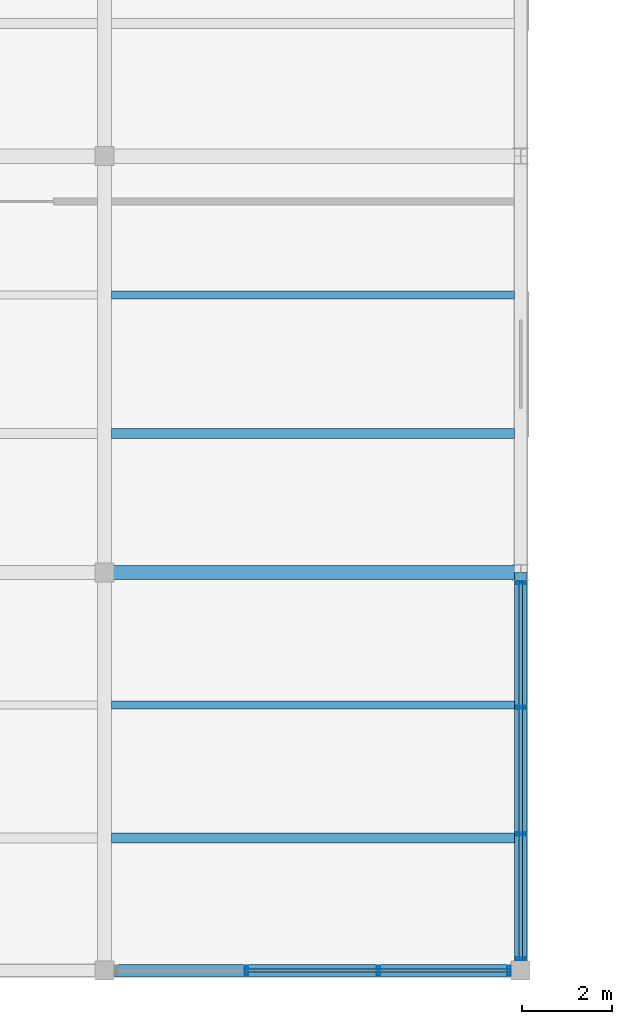
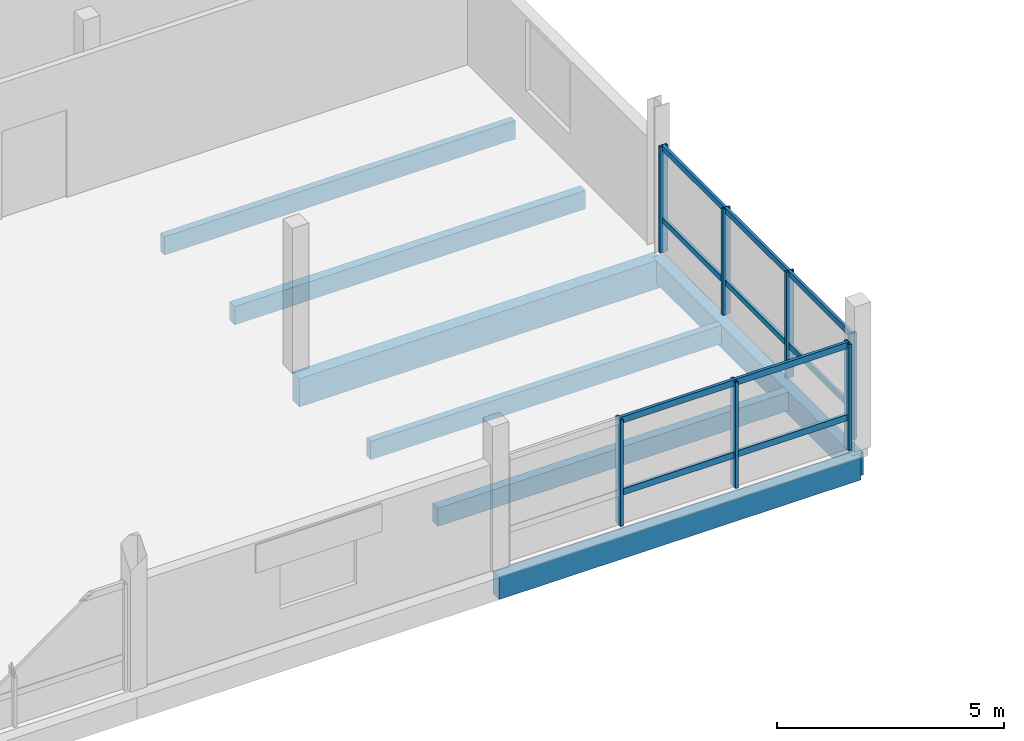
# One storey, part 13 of 47: 17 members, 7 beams, 2 elements without a shape of their own.
"""IFC4 building model written with IfcOpenShell, lengths in metres."""

from ifc_helpers import new_model, si_unit, direction, frame, origin, origin_2d, place, context, subcontext, project, spatial, rectangle, hollow_rectangle, extrude, material, layer, layer_set, material_profile, profile_set, type_object, element, aggregate, save


model = new_model("IFC4")

# Units and contexts
model_context = context("Model", 3, precision=1e-05, world=origin(), true_north=direction((0.0, 1.0)))
body_context = subcontext(model_context, "Body", "Model", "MODEL_VIEW")
ifc_project = project(units=[si_unit("LENGTHUNIT", "METRE"), si_unit("AREAUNIT", "SQUARE_METRE"), si_unit("VOLUMEUNIT", "CUBIC_METRE"), si_unit("PLANEANGLEUNIT", "RADIAN"), si_unit("MASSUNIT", "GRAM", prefix="KILO")], contexts=[model_context])

# Site, building, storey
site_placement = place(None, origin())
site = spatial("IfcSite", under=ifc_project, at=site_placement, CompositionType="ELEMENT")
building_placement = place(site_placement, origin())
building = spatial("IfcBuilding", under=site, at=building_placement, Name="Meriwether Solvik Hall", CompositionType="ELEMENT")
storey_placement = place(building_placement, frame((0.0, 0.0, 18.300048828125)))
storey = spatial("IfcBuildingStorey", under=building, at=storey_placement, Name="L04", CompositionType="ELEMENT", Elevation=18.300048828125)

# Beams
ifc_material_1 = material(Name="Glulam Douglas-Fir 24F-V8 GL28h", Category="wood")
ifc_material_profile_1 = material_profile(ifc_material_1, rectangle(XDim=0.27294921875, YDim=0.610107421875, at=origin_2d()), Name="GLB-273X610")
ifc_profile_set_1 = profile_set([ifc_material_profile_1], Name="Glulam Douglas-Fir 24F-V8 GL28h")
beam_type_1 = type_object("IfcBeamType", Name="BM-GL-273X610", PredefinedType="SPANDREL", material=ifc_profile_set_1)
beam_1_placement = place(storey_placement, frame((105.0, 5.199951171875, -0.550048828125), z_axis=(1.0, 0.0, 0.0), x_axis=(0.0, 1.0, 0.0)))
element("IfcBeam", 1, at=beam_1_placement, inside=storey, type_object=beam_type_1, Name="Podium Girder A:12-13 (L04)", PredefinedType="SPANDREL", context=body_context, shape_type="SweptSolid", body=[
    extrude(rectangle(XDim=0.27294921875, YDim=0.610107421875, at=origin_2d()), origin(), (0.0, 0.0, 1.0), 9.199951171875),
])
beam_2_placement = place(storey_placement, frame((114.199951171875, 5.199951171875, -0.550048828125), z_axis=(0.0, 1.0, 0.0), x_axis=(-1.0, 0.0, 0.0)))
element("IfcBeam", 2, at=beam_2_placement, inside=storey, type_object=beam_type_1, Name="Podium Girder 13:A-B (L04)", PredefinedType="SPANDREL", context=body_context, shape_type="SweptSolid", body=[
    extrude(rectangle(XDim=0.27294921875, YDim=0.610107421875, at=origin_2d()), origin(), (0.0, 0.0, 1.0), 8.800048828125),
])
ifc_material_2 = material(Name="Glulam Douglas-Fir 24F-V8 GL28h", Category="wood")
ifc_material_profile_2 = material_profile(ifc_material_2, rectangle(XDim=0.31494140625, YDim=0.760009765625, at=origin_2d()), Name="GLB-315X760")
ifc_profile_set_2 = profile_set([ifc_material_profile_2], Name="Glulam Douglas-Fir 24F-V8 GL28h")
beam_type_2 = type_object("IfcBeamType", Name="BM-GL-315X760", PredefinedType="BEAM", material=ifc_profile_set_2)
beam_3_placement = place(storey_placement, frame((105.0, 14.0, -0.625), z_axis=(1.0, 0.0, 0.0), x_axis=(0.0, 1.0, 0.0)))
element("IfcBeam", 3, at=beam_3_placement, inside=storey, type_object=beam_type_2, Name="Podium Girder B:12-13 (L04)", PredefinedType="BEAM", context=body_context, shape_type="SweptSolid", body=[
    extrude(rectangle(XDim=0.31494140625, YDim=0.760009765625, at=origin_2d()), origin(), (0.0, 0.0, 1.0), 9.199951171875),
])

# Curtain wall, members
ifc_material_3 = material(Name="Thermally Broken Anodised Aluminium 6063-T6 and Low-E Glass", Category="aluminium")
ifc_layer = layer(ifc_material_3, 0.179931640625)
ifc_layer_set = layer_set([ifc_layer], Name="Thermally Broken Anodised Aluminium 6063-T6 and Low-E Glass")
curtain_wall_type = type_object("IfcCurtainWallType", Name="CW-UNIT-E", PredefinedType="USERDEFINED", material=ifc_layer_set)
curtain_wall_1_placement = place(storey_placement, origin())
curtain_wall_1 = element("IfcCurtainWall", 4, at=curtain_wall_1_placement, inside=storey, type_object=curtain_wall_type, Name="Curtain Wall wing_Y13_1_22 (L04)", ObjectType="UNITISED CURTAIN WALL", PredefinedType="USERDEFINED")
ifc_material_4 = material(Name="Anodised Aluminium 6063-T6", Category="aluminium")
ifc_material_profile_3 = material_profile(ifc_material_4, hollow_rectangle(XDim=0.070068359375, YDim=0.199951171875, WallThickness=0.0048828125, at=origin_2d()), Name="CWM-70X200")
ifc_profile_set_3 = profile_set([ifc_material_profile_3], Name="Anodised Aluminium 6063-T6")
member_type_1 = type_object("IfcMemberType", Name="CW-MUL-70X200", PredefinedType="MULLION", material=ifc_profile_set_3)
member_1_placement = place(storey_placement, frame((114.199951171875, 13.77197265625, 0.0), z_axis=(0.0, 0.0, 1.0), x_axis=(0.0, -1.0, 0.0)))
member_1 = element("IfcMember", 5, at=member_1_placement, type_object=member_type_1, Name="Curtain Wall Mullion 1", PredefinedType="MULLION", context=body_context, shape_type="SweptSolid", body=[
    extrude(hollow_rectangle(XDim=0.070068359375, YDim=0.199951171875, WallThickness=0.0048828125, at=origin_2d()), origin(), (0.0, 0.0, 1.0), 2.85498046875),
])
member_2_placement = place(storey_placement, frame((114.199951171875, 11.013916015625, 0.0), z_axis=(0.0, 0.0, 1.0), x_axis=(0.0, -1.0, 0.0)))
member_2 = element("IfcMember", 6, at=member_2_placement, type_object=member_type_1, Name="Curtain Wall Mullion 2", PredefinedType="MULLION", context=body_context, shape_type="SweptSolid", body=[
    extrude(hollow_rectangle(XDim=0.070068359375, YDim=0.199951171875, WallThickness=0.0048828125, at=origin_2d()), origin(), (0.0, 0.0, 1.0), 2.85498046875),
])
member_3_placement = place(storey_placement, frame((114.199951171875, 8.218017578125, 0.0), z_axis=(0.0, 0.0, 1.0), x_axis=(0.0, -1.0, 0.0)))
member_3 = element("IfcMember", 7, at=member_3_placement, type_object=member_type_1, Name="Curtain Wall Mullion 3", PredefinedType="MULLION", context=body_context, shape_type="SweptSolid", body=[
    extrude(hollow_rectangle(XDim=0.070068359375, YDim=0.199951171875, WallThickness=0.0048828125, at=origin_2d()), origin(), (0.0, 0.0, 1.0), 2.85498046875),
])
member_4_placement = place(storey_placement, frame((114.199951171875, 5.4599609375, 0.0), z_axis=(0.0, 0.0, 1.0), x_axis=(0.0, -1.0, 0.0)))
member_4 = element("IfcMember", 8, at=member_4_placement, type_object=member_type_1, Name="Curtain Wall Mullion 4", PredefinedType="MULLION", context=body_context, shape_type="SweptSolid", body=[
    extrude(hollow_rectangle(XDim=0.070068359375, YDim=0.199951171875, WallThickness=0.0048828125, at=origin_2d()), origin(), (0.0, 0.0, 1.0), 2.85498046875),
])

curtain_wall_2_placement = place(storey_placement, origin())
curtain_wall_2 = element("IfcCurtainWall", 9, at=curtain_wall_2_placement, inside=storey, type_object=curtain_wall_type, Name="Curtain Wall wing_XA_12_5 (L04)", ObjectType="UNITISED CURTAIN WALL", PredefinedType="USERDEFINED")
ifc_material_5 = material(Name="Anodised Aluminium 6063-T6", Category="aluminium")
ifc_material_profile_4 = material_profile(ifc_material_5, hollow_rectangle(XDim=0.074951171875, YDim=0.219970703125, WallThickness=0.005615234375, at=origin_2d()), Name="CWM-75X220")
ifc_profile_set_4 = profile_set([ifc_material_profile_4], Name="Anodised Aluminium 6063-T6")
member_type_2 = type_object("IfcMemberType", Name="CW-MUL-75X220", PredefinedType="MULLION", material=ifc_profile_set_4)
member_5_placement = place(storey_placement, frame((113.93994140625, 5.199951171875, 0.0), z_axis=(0.0, 0.0, 1.0), x_axis=(-1.0, 0.0, 0.0)))
member_5 = element("IfcMember", 10, at=member_5_placement, type_object=member_type_2, Name="Curtain Wall Mullion 1", PredefinedType="MULLION", context=body_context, shape_type="SweptSolid", body=[
    extrude(hollow_rectangle(XDim=0.074951171875, YDim=0.219970703125, WallThickness=0.005615234375, at=origin_2d()), origin(), (0.0, 0.0, 1.0), 2.85498046875),
])
member_6_placement = place(storey_placement, frame((111.059326171875, 5.199951171875, 0.0), z_axis=(0.0, 0.0, 1.0), x_axis=(-1.0, 0.0, 0.0)))
member_6 = element("IfcMember", 11, at=member_6_placement, type_object=member_type_2, Name="Curtain Wall Mullion 2", PredefinedType="MULLION", context=body_context, shape_type="SweptSolid", body=[
    extrude(hollow_rectangle(XDim=0.074951171875, YDim=0.219970703125, WallThickness=0.005615234375, at=origin_2d()), origin(), (0.0, 0.0, 1.0), 2.85498046875),
])
member_7_placement = place(storey_placement, frame((108.140625, 5.199951171875, 0.0), z_axis=(0.0, 0.0, 1.0), x_axis=(-1.0, 0.0, 0.0)))
member_7 = element("IfcMember", 12, at=member_7_placement, type_object=member_type_2, Name="Curtain Wall Mullion 3", PredefinedType="MULLION", context=body_context, shape_type="SweptSolid", body=[
    extrude(hollow_rectangle(XDim=0.074951171875, YDim=0.219970703125, WallThickness=0.005615234375, at=origin_2d()), origin(), (0.0, 0.0, 1.0), 2.85498046875),
])

# Member
ifc_material_6 = material(Name="Anodised Aluminium 6063-T6", Category="aluminium")
ifc_material_profile_5 = material_profile(ifc_material_6, hollow_rectangle(XDim=0.070068359375, YDim=0.14990234375, WallThickness=0.0048828125, at=origin_2d()), Name="CWT-70X150")
ifc_profile_set_5 = profile_set([ifc_material_profile_5], Name="Anodised Aluminium 6063-T6")
member_type_3 = type_object("IfcMemberType", Name="CW-TRN-70X150", PredefinedType="USERDEFINED", material=ifc_profile_set_5)
member_8_placement = place(storey_placement, frame((114.199951171875, 13.77197265625, 0.8564453125), z_axis=(0.0, -1.0, 0.0), x_axis=(1.0, 0.0, 0.0)))
member_8 = element("IfcMember", 13, at=member_8_placement, type_object=member_type_3, Name="Curtain Wall Transom 1-sill", ObjectType="TRANSOM", PredefinedType="USERDEFINED", context=body_context, shape_type="SweptSolid", body=[
    extrude(hollow_rectangle(XDim=0.070068359375, YDim=0.14990234375, WallThickness=0.0048828125, at=origin_2d()), origin(), (0.0, 0.0, 1.0), 2.758056640625),
])

member_9_placement = place(storey_placement, frame((114.199951171875, 13.77197265625, 2.794921875), z_axis=(0.0, -1.0, 0.0), x_axis=(1.0, 0.0, 0.0)))
member_9 = element("IfcMember", 14, at=member_9_placement, type_object=member_type_3, Name="Curtain Wall Transom 1-head", ObjectType="TRANSOM", PredefinedType="USERDEFINED", context=body_context, shape_type="SweptSolid", body=[
    extrude(hollow_rectangle(XDim=0.070068359375, YDim=0.14990234375, WallThickness=0.0048828125, at=origin_2d()), origin(), (0.0, 0.0, 1.0), 2.758056640625),
])

member_10_placement = place(storey_placement, frame((114.199951171875, 11.013916015625, 0.8564453125), z_axis=(0.0, -1.0, 0.0), x_axis=(1.0, 0.0, 0.0)))
member_10 = element("IfcMember", 15, at=member_10_placement, type_object=member_type_3, Name="Curtain Wall Transom 2-sill", ObjectType="TRANSOM", PredefinedType="USERDEFINED", context=body_context, shape_type="SweptSolid", body=[
    extrude(hollow_rectangle(XDim=0.070068359375, YDim=0.14990234375, WallThickness=0.0048828125, at=origin_2d()), origin(), (0.0, 0.0, 1.0), 2.7958984375),
])

member_11_placement = place(storey_placement, frame((114.199951171875, 11.013916015625, 2.794921875), z_axis=(0.0, -1.0, 0.0), x_axis=(1.0, 0.0, 0.0)))
member_11 = element("IfcMember", 16, at=member_11_placement, type_object=member_type_3, Name="Curtain Wall Transom 2-head", ObjectType="TRANSOM", PredefinedType="USERDEFINED", context=body_context, shape_type="SweptSolid", body=[
    extrude(hollow_rectangle(XDim=0.070068359375, YDim=0.14990234375, WallThickness=0.0048828125, at=origin_2d()), origin(), (0.0, 0.0, 1.0), 2.7958984375),
])

member_12_placement = place(storey_placement, frame((114.199951171875, 8.218017578125, 0.8564453125), z_axis=(0.0, -1.0, 0.0), x_axis=(1.0, 0.0, 0.0)))
member_12 = element("IfcMember", 17, at=member_12_placement, type_object=member_type_3, Name="Curtain Wall Transom 3-sill", ObjectType="TRANSOM", PredefinedType="USERDEFINED", context=body_context, shape_type="SweptSolid", body=[
    extrude(hollow_rectangle(XDim=0.070068359375, YDim=0.14990234375, WallThickness=0.0048828125, at=origin_2d()), origin(), (0.0, 0.0, 1.0), 2.758056640625),
])

member_13_placement = place(storey_placement, frame((114.199951171875, 8.218017578125, 2.794921875), z_axis=(0.0, -1.0, 0.0), x_axis=(1.0, 0.0, 0.0)))
member_13 = element("IfcMember", 18, at=member_13_placement, type_object=member_type_3, Name="Curtain Wall Transom 3-head", ObjectType="TRANSOM", PredefinedType="USERDEFINED", context=body_context, shape_type="SweptSolid", body=[
    extrude(hollow_rectangle(XDim=0.070068359375, YDim=0.14990234375, WallThickness=0.0048828125, at=origin_2d()), origin(), (0.0, 0.0, 1.0), 2.758056640625),
])

aggregate(curtain_wall_1, [member_1, member_2, member_3, member_4, member_8, member_9, member_10, member_11, member_12, member_13])

ifc_material_7 = material(Name="Anodised Aluminium 6063-T6", Category="aluminium")
ifc_material_profile_6 = material_profile(ifc_material_7, hollow_rectangle(XDim=0.074951171875, YDim=0.169921875, WallThickness=0.005615234375, at=origin_2d()), Name="CWT-75X170")
ifc_profile_set_6 = profile_set([ifc_material_profile_6], Name="Anodised Aluminium 6063-T6")
member_type_4 = type_object("IfcMemberType", Name="CW-TRN-75X170", PredefinedType="USERDEFINED", material=ifc_profile_set_6)
member_14_placement = place(storey_placement, frame((113.93994140625, 5.199951171875, 0.8564453125), z_axis=(-1.0, 0.0, 0.0), x_axis=(0.0, -1.0, 0.0)))
member_14 = element("IfcMember", 19, at=member_14_placement, type_object=member_type_4, Name="Curtain Wall Transom 1-sill", ObjectType="TRANSOM", PredefinedType="USERDEFINED", context=body_context, shape_type="SweptSolid", body=[
    extrude(hollow_rectangle(XDim=0.074951171875, YDim=0.169921875, WallThickness=0.005615234375, at=origin_2d()), origin(), (0.0, 0.0, 1.0), 2.880615234375),
])

member_15_placement = place(storey_placement, frame((113.93994140625, 5.199951171875, 2.794921875), z_axis=(-1.0, 0.0, 0.0), x_axis=(0.0, -1.0, 0.0)))
member_15 = element("IfcMember", 20, at=member_15_placement, type_object=member_type_4, Name="Curtain Wall Transom 1-head", ObjectType="TRANSOM", PredefinedType="USERDEFINED", context=body_context, shape_type="SweptSolid", body=[
    extrude(hollow_rectangle(XDim=0.074951171875, YDim=0.169921875, WallThickness=0.005615234375, at=origin_2d()), origin(), (0.0, 0.0, 1.0), 2.880615234375),
])

member_16_placement = place(storey_placement, frame((111.059326171875, 5.199951171875, 0.8564453125), z_axis=(-1.0, 0.0, 0.0), x_axis=(0.0, -1.0, 0.0)))
member_16 = element("IfcMember", 21, at=member_16_placement, type_object=member_type_4, Name="Curtain Wall Transom 2-sill", ObjectType="TRANSOM", PredefinedType="USERDEFINED", context=body_context, shape_type="SweptSolid", body=[
    extrude(hollow_rectangle(XDim=0.074951171875, YDim=0.169921875, WallThickness=0.005615234375, at=origin_2d()), origin(), (0.0, 0.0, 1.0), 2.918701171875),
])

member_17_placement = place(storey_placement, frame((111.059326171875, 5.199951171875, 2.794921875), z_axis=(-1.0, 0.0, 0.0), x_axis=(0.0, -1.0, 0.0)))
member_17 = element("IfcMember", 22, at=member_17_placement, type_object=member_type_4, Name="Curtain Wall Transom 2-head", ObjectType="TRANSOM", PredefinedType="USERDEFINED", context=body_context, shape_type="SweptSolid", body=[
    extrude(hollow_rectangle(XDim=0.074951171875, YDim=0.169921875, WallThickness=0.005615234375, at=origin_2d()), origin(), (0.0, 0.0, 1.0), 2.918701171875),
])

aggregate(curtain_wall_2, [member_5, member_6, member_7, member_14, member_15, member_16, member_17])

# Beams
ifc_material_8 = material(Name="Glulam Douglas-Fir 24F-V8 GL28h", Category="wood")
ifc_material_profile_7 = material_profile(ifc_material_8, rectangle(XDim=0.175048828125, YDim=0.4951171875, at=origin_2d()), Name="GLJ-175X495")
ifc_profile_set_7 = profile_set([ifc_material_profile_7], Name="Glulam Douglas-Fir 24F-V8 GL28h")
beam_type_3 = type_object("IfcBeamType", Name="JST-GL-175X495", PredefinedType="JOIST", material=ifc_profile_set_7)
for number, where, z_axis, x_axis, name in (
    (23, (105.152587890625, 11.066650390625, -0.492431640625), (1.0, 0.0, 0.0), (0.0, 1.0, 0.0), "Secondary Floor Joist 12/A_J2 (L04)"),
    (24, (105.152587890625, 20.13330078125, -0.492431640625), (1.0, 0.0, 0.0), (0.0, 1.0, 0.0), "Secondary Floor Joist 12/B_J2 (L04)"),
):
    element("IfcBeam", number, at=place(storey_placement, frame(where, z_axis=z_axis, x_axis=x_axis)), inside=storey, type_object=beam_type_3, Name=name, PredefinedType="JOIST", context=body_context, shape_type="SweptSolid", body=[
        extrude(rectangle(XDim=0.175048828125, YDim=0.4951171875, at=origin_2d()), origin(), (0.0, 0.0, 1.0), 8.916015625),
    ])
ifc_material_9 = material(Name="Glulam Douglas-Fir 24F-V8 GL28h", Category="wood")
ifc_material_profile_8 = material_profile(ifc_material_9, rectangle(XDim=0.221923828125, YDim=0.4951171875, at=origin_2d()), Name="GLJ-222X495")
ifc_profile_set_8 = profile_set([ifc_material_profile_8], Name="Glulam Douglas-Fir 24F-V8 GL28h")
beam_type_4 = type_object("IfcBeamType", Name="JST-GL-222X495", PredefinedType="JOIST", material=ifc_profile_set_8)
for number, where, z_axis, x_axis, name in (
    (25, (105.152587890625, 8.13330078125, -0.492431640625), (1.0, 0.0, 0.0), (0.0, 1.0, 0.0), "Secondary Floor Joist 12/A_J1 (L04)"),
    (26, (105.152587890625, 17.066650390625, -0.492431640625), (1.0, 0.0, 0.0), (0.0, 1.0, 0.0), "Secondary Floor Joist 12/B_J1 (L04)"),
):
    element("IfcBeam", number, at=place(storey_placement, frame(where, z_axis=z_axis, x_axis=x_axis)), inside=storey, type_object=beam_type_4, Name=name, PredefinedType="JOIST", context=body_context, shape_type="SweptSolid", body=[
        extrude(rectangle(XDim=0.221923828125, YDim=0.4951171875, at=origin_2d()), origin(), (0.0, 0.0, 1.0), 8.916015625),
    ])

save(model, "model.ifc")
